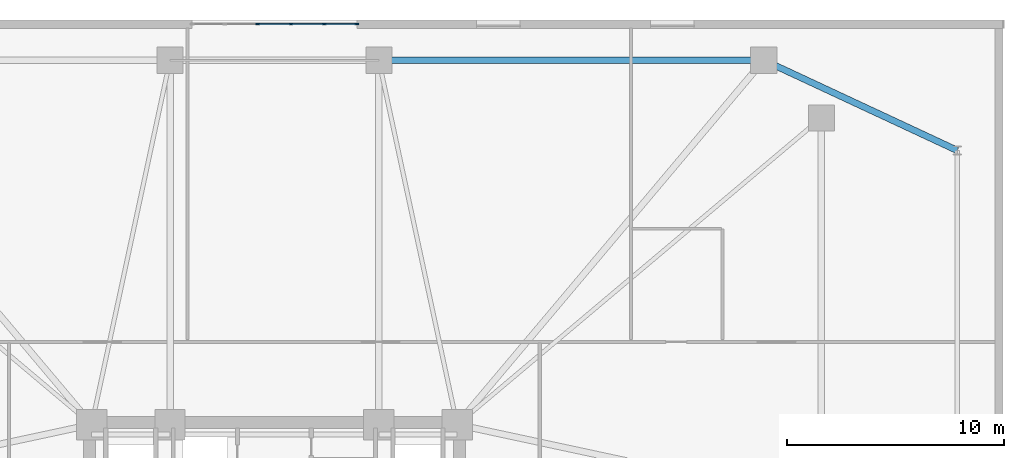
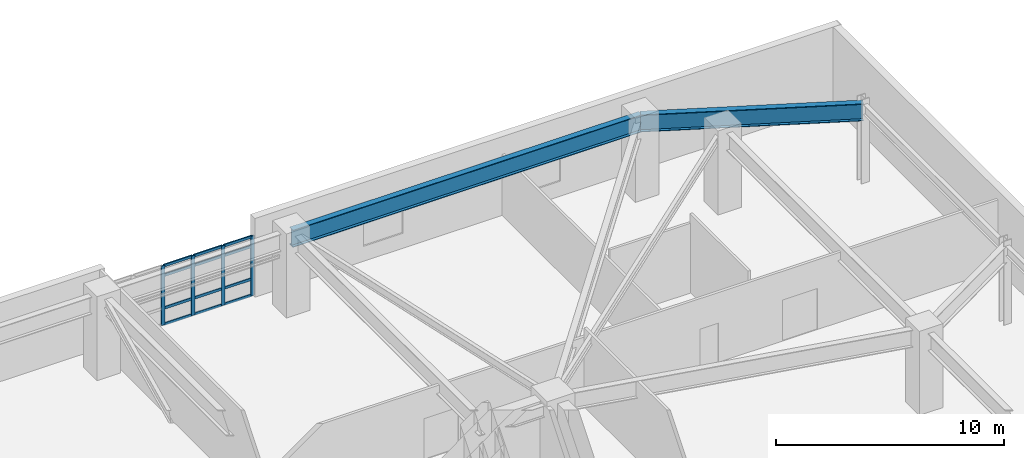
# One storey, part 9 of 21: 16 members, 2 beams, 1 element without a shape of its own.
"""IFC4 building model written with IfcOpenShell, lengths in metres."""

from ifc_helpers import new_model, si_unit, direction, frame, origin, origin_2d, place, context, subcontext, project, spatial, rectangle, i_section, extrude, material, layer, layer_set, material_profile, profile_set, type_object, element, aggregate, save


model = new_model("IFC4")

# Units and contexts
model_context = context("Model", 3, precision=1e-05, world=origin(), true_north=direction((0.0, 1.0)))
body_context = subcontext(model_context, "Body", "Model", "MODEL_VIEW")
ifc_project = project(units=[si_unit("LENGTHUNIT", "METRE"), si_unit("AREAUNIT", "SQUARE_METRE"), si_unit("VOLUMEUNIT", "CUBIC_METRE"), si_unit("PLANEANGLEUNIT", "RADIAN"), si_unit("MASSUNIT", "GRAM", prefix="KILO")], contexts=[model_context])

# Site, building, storey
site_placement = place(None, origin())
site = spatial("IfcSite", under=ifc_project, at=site_placement, CompositionType="ELEMENT")
building_placement = place(site_placement, origin())
building = spatial("IfcBuilding", under=site, at=building_placement, Name="Cairnveth Concourse Tower", CompositionType="ELEMENT")
storey_placement = place(building_placement, frame((0.0, 0.0, 10.0)))
storey = spatial("IfcBuildingStorey", under=building, at=storey_placement, Name="L02", CompositionType="ELEMENT", Elevation=10.0)

# Curtain wall, members
ifc_material_1 = material(Name="Architectural Bronze Anodised Aluminium 6063-T6", Category="aluminium")
ifc_layer = layer(ifc_material_1, 0.340087890625)
ifc_layer_set = layer_set([ifc_layer], Name="Architectural Bronze Anodised Aluminium 6063-T6")
curtain_wall_type = type_object("IfcCurtainWallType", Name="BALLROOM FOYER UNITISED CURTAIN WALL", PredefinedType="USERDEFINED", material=ifc_layer_set)
curtain_wall_placement = place(storey_placement, origin())
curtain_wall = element("IfcCurtainWall", 1, at=curtain_wall_placement, inside=storey, type_object=curtain_wall_type, Name="Curtain Wall CW-L02-N1", ObjectType="UNITISED FACADE", PredefinedType="USERDEFINED")
ifc_material_profile_1 = material_profile(ifc_material_1, rectangle(XDim=0.06494140625, YDim=0.179931640625, at=origin_2d()), Name="AL-MUL-65x180")
ifc_profile_set_1 = profile_set([ifc_material_profile_1], Name="Architectural Bronze Anodised Aluminium 6063-T6")
member_type_1 = type_object("IfcMemberType", Name="BRONZE CURTAIN WALL MULLION AL-MUL-65x180", PredefinedType="MULLION", material=ifc_profile_set_1)
member_1_placement = place(storey_placement, frame((51.237060546875, 65.81005859375, 0.0), z_axis=(0.0, 0.0, 1.0), x_axis=(0.0, 1.0, 0.0)))
member_1 = element("IfcMember", 2, at=member_1_placement, type_object=member_type_1, Name="CWS3 mullion 3", PredefinedType="MULLION", context=body_context, shape_type="SweptSolid", body=[
    extrude(rectangle(XDim=0.06494140625, YDim=0.179931640625, at=origin_2d()), origin(), (0.0, 0.0, 1.0), 3.196044921875),
])
member_2_placement = place(storey_placement, frame((52.762939453125, 65.81005859375, 0.0), z_axis=(0.0, 0.0, 1.0), x_axis=(0.0, 1.0, 0.0)))
member_2 = element("IfcMember", 3, at=member_2_placement, type_object=member_type_1, Name="CWS3 mullion 4", PredefinedType="MULLION", context=body_context, shape_type="SweptSolid", body=[
    extrude(rectangle(XDim=0.06494140625, YDim=0.179931640625, at=origin_2d()), origin(), (0.0, 0.0, 1.0), 3.196044921875),
])
member_3_placement = place(storey_placement, frame((54.2890625, 65.81005859375, 0.0), z_axis=(0.0, 0.0, 1.0), x_axis=(0.0, 1.0, 0.0)))
member_3 = element("IfcMember", 4, at=member_3_placement, type_object=member_type_1, Name="CWS3 mullion 5", PredefinedType="MULLION", context=body_context, shape_type="SweptSolid", body=[
    extrude(rectangle(XDim=0.06494140625, YDim=0.179931640625, at=origin_2d()), origin(), (0.0, 0.0, 1.0), 3.196044921875),
])
member_4_placement = place(storey_placement, frame((55.782470703125, 65.81005859375, 0.0), z_axis=(0.0, 0.0, 1.0), x_axis=(0.0, 1.0, 0.0)))
member_4 = element("IfcMember", 5, at=member_4_placement, type_object=member_type_1, Name="CWS3 mullion 6", PredefinedType="MULLION", context=body_context, shape_type="SweptSolid", body=[
    extrude(rectangle(XDim=0.06494140625, YDim=0.179931640625, at=origin_2d()), origin(), (0.0, 0.0, 1.0), 3.196044921875),
])
ifc_material_profile_2 = material_profile(ifc_material_1, rectangle(XDim=0.06494140625, YDim=0.139892578125, at=origin_2d()), Name="AL-TRN-65x140")
ifc_profile_set_2 = profile_set([ifc_material_profile_2], Name="Architectural Bronze Anodised Aluminium 6063-T6")
member_type_2 = type_object("IfcMemberType", Name="BRONZE CURTAIN WALL TRANSOM AL-TRN-65x140", PredefinedType="USERDEFINED", material=ifc_profile_set_2)
member_5_placement = place(storey_placement, frame((51.26953125, 65.81005859375, 0.032470703125), z_axis=(1.0, 0.0, 0.0), x_axis=(0.0, 1.0, 0.0)))
member_5 = element("IfcMember", 6, at=member_5_placement, type_object=member_type_2, Name="CWS3 transom 3.1", ObjectType="TRANSOM", PredefinedType="USERDEFINED", context=body_context, shape_type="SweptSolid", body=[
    extrude(rectangle(XDim=0.06494140625, YDim=0.139892578125, at=origin_2d()), origin(), (0.0, 0.0, 1.0), 1.4609375),
])
member_6_placement = place(storey_placement, frame((51.26953125, 65.81005859375, 0.89990234375), z_axis=(1.0, 0.0, 0.0), x_axis=(0.0, 1.0, 0.0)))
member_6 = element("IfcMember", 7, at=member_6_placement, type_object=member_type_2, Name="CWS3 transom 3.2", ObjectType="TRANSOM", PredefinedType="USERDEFINED", context=body_context, shape_type="SweptSolid", body=[
    extrude(rectangle(XDim=0.06494140625, YDim=0.139892578125, at=origin_2d()), origin(), (0.0, 0.0, 1.0), 1.4609375),
])
member_7_placement = place(storey_placement, frame((51.26953125, 65.81005859375, 2.64599609375), z_axis=(1.0, 0.0, 0.0), x_axis=(0.0, 1.0, 0.0)))
member_7 = element("IfcMember", 8, at=member_7_placement, type_object=member_type_2, Name="CWS3 transom 3.3", ObjectType="TRANSOM", PredefinedType="USERDEFINED", context=body_context, shape_type="SweptSolid", body=[
    extrude(rectangle(XDim=0.06494140625, YDim=0.139892578125, at=origin_2d()), origin(), (0.0, 0.0, 1.0), 1.4609375),
])
member_8_placement = place(storey_placement, frame((51.26953125, 65.81005859375, 3.16357421875), z_axis=(1.0, 0.0, 0.0), x_axis=(0.0, 1.0, 0.0)))
member_8 = element("IfcMember", 9, at=member_8_placement, type_object=member_type_2, Name="CWS3 transom 3.4", ObjectType="TRANSOM", PredefinedType="USERDEFINED", context=body_context, shape_type="SweptSolid", body=[
    extrude(rectangle(XDim=0.06494140625, YDim=0.139892578125, at=origin_2d()), origin(), (0.0, 0.0, 1.0), 1.4609375),
])
member_9_placement = place(storey_placement, frame((52.79541015625, 65.81005859375, 0.032470703125), z_axis=(1.0, 0.0, 0.0), x_axis=(0.0, 1.0, 0.0)))
member_9 = element("IfcMember", 10, at=member_9_placement, type_object=member_type_2, Name="CWS3 transom 4.1", ObjectType="TRANSOM", PredefinedType="USERDEFINED", context=body_context, shape_type="SweptSolid", body=[
    extrude(rectangle(XDim=0.06494140625, YDim=0.139892578125, at=origin_2d()), origin(), (0.0, 0.0, 1.0), 1.461181640625),
])
member_10_placement = place(storey_placement, frame((52.79541015625, 65.81005859375, 0.89990234375), z_axis=(1.0, 0.0, 0.0), x_axis=(0.0, 1.0, 0.0)))
member_10 = element("IfcMember", 11, at=member_10_placement, type_object=member_type_2, Name="CWS3 transom 4.2", ObjectType="TRANSOM", PredefinedType="USERDEFINED", context=body_context, shape_type="SweptSolid", body=[
    extrude(rectangle(XDim=0.06494140625, YDim=0.139892578125, at=origin_2d()), origin(), (0.0, 0.0, 1.0), 1.461181640625),
])
member_11_placement = place(storey_placement, frame((52.79541015625, 65.81005859375, 2.64599609375), z_axis=(1.0, 0.0, 0.0), x_axis=(0.0, 1.0, 0.0)))
member_11 = element("IfcMember", 12, at=member_11_placement, type_object=member_type_2, Name="CWS3 transom 4.3", ObjectType="TRANSOM", PredefinedType="USERDEFINED", context=body_context, shape_type="SweptSolid", body=[
    extrude(rectangle(XDim=0.06494140625, YDim=0.139892578125, at=origin_2d()), origin(), (0.0, 0.0, 1.0), 1.461181640625),
])
member_12_placement = place(storey_placement, frame((52.79541015625, 65.81005859375, 3.16357421875), z_axis=(1.0, 0.0, 0.0), x_axis=(0.0, 1.0, 0.0)))
member_12 = element("IfcMember", 13, at=member_12_placement, type_object=member_type_2, Name="CWS3 transom 4.4", ObjectType="TRANSOM", PredefinedType="USERDEFINED", context=body_context, shape_type="SweptSolid", body=[
    extrude(rectangle(XDim=0.06494140625, YDim=0.139892578125, at=origin_2d()), origin(), (0.0, 0.0, 1.0), 1.461181640625),
])
member_13_placement = place(storey_placement, frame((54.321533203125, 65.81005859375, 0.032470703125), z_axis=(1.0, 0.0, 0.0), x_axis=(0.0, 1.0, 0.0)))
member_13 = element("IfcMember", 14, at=member_13_placement, type_object=member_type_2, Name="CWS3 transom 5.1", ObjectType="TRANSOM", PredefinedType="USERDEFINED", context=body_context, shape_type="SweptSolid", body=[
    extrude(rectangle(XDim=0.06494140625, YDim=0.139892578125, at=origin_2d()), origin(), (0.0, 0.0, 1.0), 1.428466796875),
])
member_14_placement = place(storey_placement, frame((54.321533203125, 65.81005859375, 0.89990234375), z_axis=(1.0, 0.0, 0.0), x_axis=(0.0, 1.0, 0.0)))
member_14 = element("IfcMember", 15, at=member_14_placement, type_object=member_type_2, Name="CWS3 transom 5.2", ObjectType="TRANSOM", PredefinedType="USERDEFINED", context=body_context, shape_type="SweptSolid", body=[
    extrude(rectangle(XDim=0.06494140625, YDim=0.139892578125, at=origin_2d()), origin(), (0.0, 0.0, 1.0), 1.428466796875),
])
member_15_placement = place(storey_placement, frame((54.321533203125, 65.81005859375, 2.64599609375), z_axis=(1.0, 0.0, 0.0), x_axis=(0.0, 1.0, 0.0)))
member_15 = element("IfcMember", 16, at=member_15_placement, type_object=member_type_2, Name="CWS3 transom 5.3", ObjectType="TRANSOM", PredefinedType="USERDEFINED", context=body_context, shape_type="SweptSolid", body=[
    extrude(rectangle(XDim=0.06494140625, YDim=0.139892578125, at=origin_2d()), origin(), (0.0, 0.0, 1.0), 1.428466796875),
])
member_16_placement = place(storey_placement, frame((54.321533203125, 65.81005859375, 3.16357421875), z_axis=(1.0, 0.0, 0.0), x_axis=(0.0, 1.0, 0.0)))
member_16 = element("IfcMember", 17, at=member_16_placement, type_object=member_type_2, Name="CWS3 transom 5.4", ObjectType="TRANSOM", PredefinedType="USERDEFINED", context=body_context, shape_type="SweptSolid", body=[
    extrude(rectangle(XDim=0.06494140625, YDim=0.139892578125, at=origin_2d()), origin(), (0.0, 0.0, 1.0), 1.428466796875),
])
aggregate(curtain_wall, [member_1, member_2, member_3, member_4, member_5, member_6, member_7, member_8, member_9, member_10, member_11, member_12, member_13, member_14, member_15, member_16])

# Beams
ifc_material_2 = material(Name="Steel Grade 350", Category="steel")
ifc_material_profile_3 = material_profile(ifc_material_2, i_section(OverallWidth=0.300048828125, OverallDepth=0.924072265625, WebThickness=0.013916015625, FlangeThickness=0.031982421875, at=origin_2d()), Name="900WB257")
ifc_profile_set_3 = profile_set([ifc_material_profile_3], Name="Steel Grade 350")
beam_type = type_object("IfcBeamType", Name="PODIUM PRIMARY GIRDER 900WB257", PredefinedType="BEAM", material=ifc_profile_set_3)
beam_1_placement = place(storey_placement, frame((74.5, 64.14990234375, 3.758056640625), z_axis=(0.906315208572, -0.422602345842, 0.0), x_axis=(0.422602345842, 0.906315208572, 0.0)))
element("IfcBeam", 18, at=beam_1_placement, inside=storey, type_object=beam_type, Name="Beam PG-E-N L02", PredefinedType="BEAM", context=body_context, shape_type="SweptSolid", body=[
    extrude(i_section(OverallWidth=0.300048828125, OverallDepth=0.924072265625, WebThickness=0.013916015625, FlangeThickness=0.031982421875, at=origin_2d()), origin(), (0.0, 0.0, 1.0), 9.81982421875),
])
beam_2_placement = place(storey_placement, frame((56.800048828125, 64.14990234375, 3.758056640625), z_axis=(1.0, 0.0, 0.0), x_axis=(0.0, 1.0, 0.0)))
element("IfcBeam", 19, at=beam_2_placement, inside=storey, type_object=beam_type, Name="Beam PR-N3 L02", PredefinedType="BEAM", context=body_context, shape_type="SweptSolid", body=[
    extrude(i_section(OverallWidth=0.300048828125, OverallDepth=0.924072265625, WebThickness=0.013916015625, FlangeThickness=0.031982421875, at=origin_2d()), origin(), (0.0, 0.0, 1.0), 17.699951171875),
])

save(model, "model.ifc")
